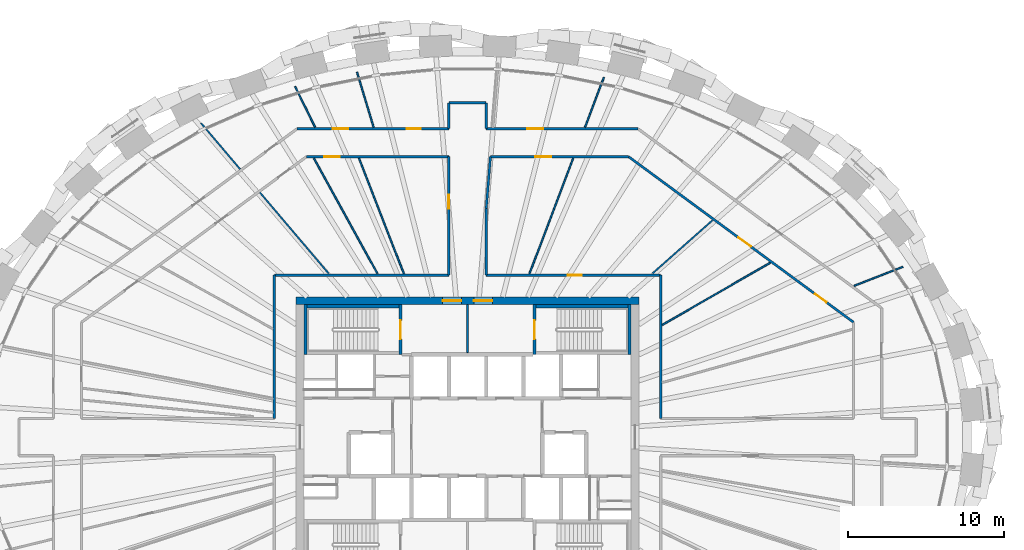
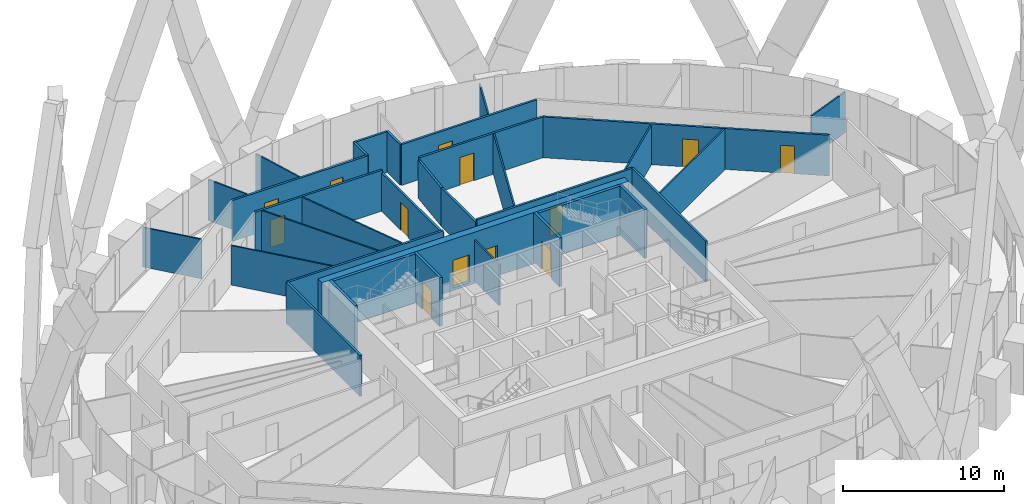
# One storey, part 12 of 15: 34 walls, 13 doors, 13 openings.
"""IFC4 building model written with IfcOpenShell, lengths in metres."""

from ifc_helpers import new_model, si_unit, direction, frame, frame_2d, origin, place, context, subcontext, project, spatial, rectangle, extrude, source, transform, mapped, material, layer, layer_set, type_object, element, fill, save


model = new_model("IFC4")

# Units and contexts
model_context = context("Model", 3, precision=1e-05, world=origin(), true_north=direction((0.0, 1.0)))
body_context = subcontext(model_context, "Body", "Model", "MODEL_VIEW")
ifc_project = project(units=[si_unit("LENGTHUNIT", "METRE"), si_unit("AREAUNIT", "SQUARE_METRE"), si_unit("VOLUMEUNIT", "CUBIC_METRE"), si_unit("PLANEANGLEUNIT", "RADIAN"), si_unit("MASSUNIT", "GRAM", prefix="KILO")], contexts=[model_context])

# Site, building, storey
site_placement = place(None, origin())
site = spatial("IfcSite", under=ifc_project, at=site_placement, CompositionType="ELEMENT")
building_placement = place(site_placement, origin())
building = spatial("IfcBuilding", under=site, at=building_placement, Name="Embergate Tower", CompositionType="ELEMENT")
storey_placement = place(building_placement, frame((0.0, 0.0, 277.300048828125)))
storey = spatial("IfcBuildingStorey", under=building, at=storey_placement, Name="L64", CompositionType="ELEMENT", Elevation=277.300048828125)

# Wall, openings, doors
ifc_material_1 = material(Name="Concrete C50", Category="concrete")
ifc_layer_1 = layer(ifc_material_1, 0.5)
ifc_layer_set_1 = layer_set([ifc_layer_1], Name="Concrete C50")
wall_type_1 = type_object("IfcWallType", Name="Core outer wall C50 500", PredefinedType="SHEAR", material=ifc_layer_set_1)
shared_shape_1 = source(origin(), body_context, "Body", "SweptSolid", [
    extrude(rectangle(XDim=22.0, YDim=0.5, at=frame_2d((11.0, 0.0))), origin(), (0.0, 0.0, 1.0), 3.89990234375),
])
wall_1_placement = place(storey_placement, frame((-11.0, 8.75, -0.199951171875), z_axis=(0.0, 0.0, 1.0), x_axis=(1.0, 0.0, 0.0)))
wall_1 = element("IfcWall", 1, at=wall_1_placement, inside=storey, type_object=wall_type_1, Name="CW-L64-N", PredefinedType="SHEAR", context=body_context, shape_type="MappedRepresentation", body=[
    mapped(shared_shape_1, transform((0.0, 0.0, 0.0))),
])
shared_shape_2 = source(origin(), body_context, "Body", "SweptSolid", [
    extrude(rectangle(XDim=1.199951171875, YDim=2.10009765625, at=frame_2d((0.60009765625, 1.050048828125))), frame((0.0, 0.260009765625, 0.0), z_axis=(0.0, -1.0, 0.0), x_axis=(1.0, 0.0, 0.0)), (0.0, 0.0, 1.0), 0.52001953125),
])
opening_1_placement = place(wall_1_placement, frame((9.39990234375, 0.0, 0.199951171875)))
opening_1 = element("IfcOpeningElement", 2, at=opening_1_placement, cuts=wall_1, Name="Opening IF-1", PredefinedType="OPENING", context=body_context, shape_type="MappedRepresentation", body=[
    mapped(shared_shape_2, transform((0.0, 0.0, 0.0))),
])
opening_2_placement = place(wall_1_placement, frame((11.39990234375, 0.0, 0.199951171875)))
opening_2 = element("IfcOpeningElement", 3, at=opening_2_placement, cuts=wall_1, Name="Opening IF-1", PredefinedType="OPENING", context=body_context, shape_type="MappedRepresentation", body=[
    mapped(shared_shape_2, transform((0.0, 0.0, 0.0))),
])
ifc_material_2 = material(Name="Escape fire door 1200")
door_type_1 = type_object("IfcDoorType", Name="Escape fire door 1200", OperationType="SINGLE_SWING_LEFT", PredefinedType="DOOR", material=ifc_material_2)
shared_shape_3 = source(origin(), body_context, "Body", "SweptSolid", [
    extrude(rectangle(XDim=1.199951171875, YDim=2.10009765625, at=frame_2d((0.60009765625, 1.050048828125))), frame((0.0, 0.02490234375, 0.0), z_axis=(0.0, -1.0, 0.0), x_axis=(1.0, 0.0, 0.0)), (0.0, 0.0, 1.0), 0.050048828125),
])
door_1_placement = place(opening_1_placement, origin())
door_1 = element("IfcDoor", 4, at=door_1_placement, inside=storey, type_object=door_type_1, Name="IF-1 door", OperationType="SINGLE_SWING_LEFT", OverallHeight=2.10009765625, OverallWidth=1.199951171875, PredefinedType="DOOR", context=body_context, shape_type="MappedRepresentation", body=[
    mapped(shared_shape_3, transform((0.0, 0.0, 0.0))),
])
fill(opening_1, door_1)
door_2_placement = place(opening_2_placement, origin())
door_2 = element("IfcDoor", 5, at=door_2_placement, inside=storey, type_object=door_type_1, Name="IF-1 door", OperationType="SINGLE_SWING_LEFT", OverallHeight=2.10009765625, OverallWidth=1.199951171875, PredefinedType="DOOR", context=body_context, shape_type="MappedRepresentation", body=[
    mapped(shared_shape_3, transform((0.0, 0.0, 0.0))),
])
fill(opening_2, door_2)

# Wall, opening, door
ifc_layer_2 = layer(ifc_material_1, 0.199951171875)
ifc_layer_set_2 = layer_set([ifc_layer_2], Name="Concrete C50")
wall_type_2 = type_object("IfcWallType", Name="Stair enclosure wall reinforced concrete 250", PredefinedType="SHEAR", material=ifc_layer_set_2)
shared_shape_4 = source(origin(), body_context, "Body", "SweptSolid", [
    extrude(rectangle(XDim=3.199951171875, YDim=0.199951171875, at=frame_2d((1.60009765625, 0.0))), origin(), (0.0, 0.0, 1.0), 3.699951171875),
])
wall_2_placement = place(storey_placement, frame((-4.300048828125, 5.300048828125, 0.0), z_axis=(0.0, 0.0, 1.0), x_axis=(0.0, 1.0, 0.0)))
wall_2 = element("IfcWall", 6, at=wall_2_placement, inside=storey, type_object=wall_type_2, Name="SE-1 wall", PredefinedType="SHEAR", context=body_context, shape_type="MappedRepresentation", body=[
    mapped(shared_shape_4, transform((0.0, 0.0, 0.0))),
])
shared_shape_5 = source(origin(), body_context, "Body", "SweptSolid", [
    extrude(rectangle(XDim=1.199951171875, YDim=2.10009765625, at=frame_2d((0.60009765625, 1.050048828125))), frame((0.0, 0.10986328125, 0.0), z_axis=(0.0, -1.0, 0.0), x_axis=(1.0, 0.0, 0.0)), (0.0, 0.0, 1.0), 0.219970703125),
])
opening_3_placement = place(wall_2_placement, frame((1.0, 0.0, 0.0)))
opening_3 = element("IfcOpeningElement", 7, at=opening_3_placement, cuts=wall_2, Name="Opening IF-2", PredefinedType="OPENING", context=body_context, shape_type="MappedRepresentation", body=[
    mapped(shared_shape_5, transform((0.0, 0.0, 0.0))),
])
ifc_material_3 = material(Name="Stair enclosure door 1200")
door_type_2 = type_object("IfcDoorType", Name="Stair enclosure door 1200", OperationType="SINGLE_SWING_LEFT", PredefinedType="DOOR", material=ifc_material_3)
door_3_placement = place(opening_3_placement, origin())
door_3 = element("IfcDoor", 8, at=door_3_placement, inside=storey, type_object=door_type_2, Name="IF-2 door", OperationType="SINGLE_SWING_LEFT", OverallHeight=2.10009765625, OverallWidth=1.199951171875, PredefinedType="DOOR", context=body_context, shape_type="MappedRepresentation", body=[
    mapped(shared_shape_3, transform((0.0, 0.0, 0.0))),
])
fill(opening_3, door_3)

wall_3_placement = place(storey_placement, frame((4.300048828125, 8.5, 0.0), z_axis=(0.0, 0.0, 1.0), x_axis=(0.0, -1.0, 0.0)))
wall_3 = element("IfcWall", 9, at=wall_3_placement, inside=storey, type_object=wall_type_2, Name="SE-1 wall", PredefinedType="SHEAR", context=body_context, shape_type="MappedRepresentation", body=[
    mapped(shared_shape_4, transform((0.0, 0.0, 0.0))),
])
opening_4_placement = place(wall_3_placement, frame((1.0, 0.0, 0.0)))
opening_4 = element("IfcOpeningElement", 10, at=opening_4_placement, cuts=wall_3, Name="Opening IF-2", PredefinedType="OPENING", context=body_context, shape_type="MappedRepresentation", body=[
    mapped(shared_shape_5, transform((0.0, 0.0, 0.0))),
])
door_4_placement = place(opening_4_placement, origin())
door_4 = element("IfcDoor", 11, at=door_4_placement, inside=storey, type_object=door_type_2, Name="IF-2 door", OperationType="SINGLE_SWING_LEFT", OverallHeight=2.10009765625, OverallWidth=1.199951171875, PredefinedType="DOOR", context=body_context, shape_type="MappedRepresentation", body=[
    mapped(shared_shape_3, transform((0.0, 0.0, 0.0))),
])
fill(opening_4, door_4)

# Walls
wall_4_placement = place(storey_placement, frame((-10.39990234375, 8.5, 0.0), z_axis=(0.0, 0.0, 1.0), x_axis=(0.0, -1.0, 0.0)))
element("IfcWall", 12, at=wall_4_placement, inside=storey, type_object=wall_type_2, Name="SE-1 wall", PredefinedType="SHEAR", context=body_context, shape_type="MappedRepresentation", body=[
    mapped(shared_shape_4, transform((0.0, 0.0, 0.0))),
])
ifc_material_4 = material(Name="Corridor wall dry-lined 150")
ifc_layer_3 = layer(ifc_material_4, 0.14990234375)
ifc_layer_set_3 = layer_set([ifc_layer_3], Name="Corridor wall dry-lined 150")
wall_type_3 = type_object("IfcWallType", Name="Corridor wall dry-lined 150", PredefinedType="PARTITIONING", material=ifc_layer_set_3)
shared_shape_6 = source(origin(), body_context, "Body", "SweptSolid", [
    extrude(rectangle(XDim=2.39990234375, YDim=0.14990234375, at=frame_2d((1.199951171875, 0.0))), origin(), (0.0, 0.0, 1.0), 3.099853515625),
])
wall_5_placement = place(storey_placement, frame((-1.199951171875, 21.458984375, 0.0), z_axis=(0.0, 0.0, 1.0), x_axis=(1.0, 0.0, 0.0)))
element("IfcWall", 13, at=wall_5_placement, inside=storey, type_object=wall_type_3, Name="IP-2 wall", PredefinedType="PARTITIONING", context=body_context, shape_type="MappedRepresentation", body=[
    mapped(shared_shape_6, transform((0.0, 0.0, 0.0))),
])
shared_shape_7 = source(origin(), body_context, "Body", "SweptSolid", [
    extrude(rectangle(XDim=9.199951171875, YDim=0.14990234375, at=frame_2d((4.60009765625, 0.0))), origin(), (0.0, 0.0, 1.0), 3.099853515625),
])
for number, where, z_axis, x_axis, name in (
    (14, (12.39990234375, 10.39990234375, 0.0), (0.0, 0.0, 1.0), (0.0, -1.0, 0.0), "IP-2 wall"),
    (15, (-12.39990234375, 10.39990234375, 0.0), (0.0, 0.0, 1.0), (0.0, -1.0, 0.0), "IP-2 wall"),
):
    element("IfcWall", number, at=place(storey_placement, frame(where, z_axis=z_axis, x_axis=x_axis)), inside=storey, type_object=wall_type_3, Name=name, PredefinedType="PARTITIONING", context=body_context, shape_type="MappedRepresentation", body=[
        mapped(shared_shape_7, transform((0.0, 0.0, 0.0))),
    ])

# Wall, opening, door
shared_shape_8 = source(origin(), body_context, "Body", "SweptSolid", [
    extrude(rectangle(XDim=11.199951171875, YDim=0.14990234375, at=frame_2d((5.60009765625, 0.0))), origin(), (0.0, 0.0, 1.0), 3.099853515625),
])
wall_6_placement = place(storey_placement, frame((1.199951171875, 10.39990234375, 0.0), z_axis=(0.0, 0.0, 1.0), x_axis=(1.0, 0.0, 0.0)))
wall_6 = element("IfcWall", 16, at=wall_6_placement, inside=storey, type_object=wall_type_3, Name="IP-2 wall", PredefinedType="PARTITIONING", context=body_context, shape_type="MappedRepresentation", body=[
    mapped(shared_shape_8, transform((0.0, 0.0, 0.0))),
])
shared_shape_9 = source(origin(), body_context, "Body", "SweptSolid", [
    extrude(rectangle(XDim=0.89990234375, YDim=2.10009765625, at=frame_2d((0.449951171875, 1.050048828125))), frame((0.0, 0.0849609375, 0.0), z_axis=(0.0, -1.0, 0.0), x_axis=(1.0, 0.0, 0.0)), (0.0, 0.0, 1.0), 0.169921875),
])
opening_5_placement = place(wall_6_placement, frame((5.248046875, 0.0, 0.0)))
opening_5 = element("IfcOpeningElement", 17, at=opening_5_placement, cuts=wall_6, Name="Opening IF-1c", PredefinedType="OPENING", context=body_context, shape_type="MappedRepresentation", body=[
    mapped(shared_shape_9, transform((0.0, 0.0, 0.0))),
])
ifc_material_5 = material(Name="Escape fire door 900")
door_type_3 = type_object("IfcDoorType", Name="Escape fire door 900", OperationType="SINGLE_SWING_LEFT", PredefinedType="DOOR", material=ifc_material_5)
shared_shape_10 = source(origin(), body_context, "Body", "SweptSolid", [
    extrude(rectangle(XDim=0.89990234375, YDim=2.10009765625, at=frame_2d((0.449951171875, 1.050048828125))), frame((0.0, 0.02490234375, 0.0), z_axis=(0.0, -1.0, 0.0), x_axis=(1.0, 0.0, 0.0)), (0.0, 0.0, 1.0), 0.050048828125),
])
door_5_placement = place(opening_5_placement, origin())
door_5 = element("IfcDoor", 18, at=door_5_placement, inside=storey, type_object=door_type_3, Name="IF-1 door", OperationType="SINGLE_SWING_RIGHT", OverallHeight=2.10009765625, OverallWidth=0.89990234375, PredefinedType="DOOR", context=body_context, shape_type="MappedRepresentation", body=[
    mapped(shared_shape_10, transform((0.0, 0.0, 0.0))),
])
fill(opening_5, door_5)

# Walls
wall_7_placement = place(storey_placement, frame((-12.39990234375, 10.39990234375, 0.0), z_axis=(0.0, 0.0, 1.0), x_axis=(1.0, 0.0, 0.0)))
element("IfcWall", 19, at=wall_7_placement, inside=storey, type_object=wall_type_3, Name="IP-2 wall", PredefinedType="PARTITIONING", context=body_context, shape_type="MappedRepresentation", body=[
    mapped(shared_shape_8, transform((0.0, 0.0, 0.0))),
])
ifc_material_6 = material(Name="Core partition blockwork 120")
ifc_layer_4 = layer(ifc_material_6, 0.1201171875)
ifc_layer_set_4 = layer_set([ifc_layer_4], Name="Core partition blockwork 120")
wall_type_4 = type_object("IfcWallType", Name="Core partition blockwork 120", PredefinedType="PARTITIONING", material=ifc_layer_set_4)
shared_shape_11 = source(origin(), body_context, "Body", "SweptSolid", [
    extrude(rectangle(XDim=3.074951171875, YDim=0.1201171875, at=frame_2d((1.53759765625, 0.0))), origin(), (0.0, 0.0, 1.0), 3.099853515625),
])
wall_8_placement = place(storey_placement, frame((0.0, 5.425048828125, 0.0), z_axis=(0.0, 0.0, 1.0), x_axis=(0.0, 1.0, 0.0)))
element("IfcWall", 20, at=wall_8_placement, inside=storey, type_object=wall_type_4, Name="IP-3 wall", PredefinedType="PARTITIONING", context=body_context, shape_type="MappedRepresentation", body=[
    mapped(shared_shape_11, transform((0.0, 0.0, 0.0))),
])
shared_shape_12 = source(origin(), body_context, "Body", "SweptSolid", [
    extrude(rectangle(XDim=6.298095703125, YDim=0.199951171875, at=frame_2d((3.14892578125, 0.0))), origin(), (0.0, 0.0, 1.0), 3.699951171875),
])
for number, where, z_axis, x_axis, name in (
    (21, (-4.201904296875, 8.39990234375, 0.0), (0.0, 0.0, 1.0), (-1.0, 0.0, 0.0), "SE-1 wall"),
    (22, (10.5, 8.39990234375, 0.0), (0.0, 0.0, 1.0), (-1.0, 0.0, 0.0), "SE-1 wall"),
):
    element("IfcWall", number, at=place(storey_placement, frame(where, z_axis=z_axis, x_axis=x_axis)), inside=storey, type_object=wall_type_2, Name=name, PredefinedType="SHEAR", context=body_context, shape_type="MappedRepresentation", body=[
        mapped(shared_shape_12, transform((0.0, 0.0, 0.0))),
    ])
shared_shape_13 = source(origin(), body_context, "Body", "SweptSolid", [
    extrude(rectangle(XDim=3.197998046875, YDim=0.199951171875, at=frame_2d((1.59912109375, 0.0))), origin(), (0.0, 0.0, 1.0), 3.699951171875),
])
wall_9_placement = place(storey_placement, frame((10.39990234375, 5.302001953125, 0.0), z_axis=(0.0, 0.0, 1.0), x_axis=(0.0, 1.0, 0.0)))
element("IfcWall", 23, at=wall_9_placement, inside=storey, type_object=wall_type_2, Name="SE-1 wall", PredefinedType="SHEAR", context=body_context, shape_type="MappedRepresentation", body=[
    mapped(shared_shape_13, transform((0.0, 0.0, 0.0))),
])

# Wall, opening, door
shared_shape_14 = source(origin(), body_context, "Body", "SweptSolid", [
    extrude(rectangle(XDim=7.60205078125, YDim=0.14990234375, at=frame_2d((3.801025390625, 0.0))), origin(), (0.0, 0.0, 1.0), 2.89990234375),
])
wall_10_placement = place(storey_placement, frame((-1.199951171875, 10.39990234375, 0.0), z_axis=(0.0, 0.0, 1.0), x_axis=(0.0, 1.0, 0.0)))
wall_10 = element("IfcWall", 24, at=wall_10_placement, inside=storey, type_object=wall_type_3, Name="IP-2 wall", PredefinedType="PARTITIONING", context=body_context, shape_type="MappedRepresentation", body=[
    mapped(shared_shape_14, transform((0.0, 0.0, 0.0))),
])
opening_6_placement = place(wall_10_placement, frame((4.26611328125, 0.0, 0.0)))
opening_6 = element("IfcOpeningElement", 25, at=opening_6_placement, cuts=wall_10, Name="Opening IF-1c", PredefinedType="OPENING", context=body_context, shape_type="MappedRepresentation", body=[
    mapped(shared_shape_9, transform((0.0, 0.0, 0.0))),
])
door_6_placement = place(opening_6_placement, origin())
door_6 = element("IfcDoor", 26, at=door_6_placement, inside=storey, type_object=door_type_3, Name="IF-1 door", OperationType="SINGLE_SWING_RIGHT", OverallHeight=2.10009765625, OverallWidth=0.89990234375, PredefinedType="DOOR", context=body_context, shape_type="MappedRepresentation", body=[
    mapped(shared_shape_10, transform((0.0, 0.0, 0.0))),
])
fill(opening_6, door_6)

# Walls
shared_shape_15 = source(origin(), body_context, "Body", "SweptSolid", [
    extrude(rectangle(XDim=4.2900390625, YDim=0.14990234375, at=frame_2d((2.14501953125, 0.0))), origin(), (0.0, 0.0, 1.0), 2.89990234375),
])
wall_11_placement = place(storey_placement, frame((1.199951171875, 10.39990234375, 0.0), z_axis=(0.0, 0.0, 1.0), x_axis=(0.0, 1.0, 0.0)))
element("IfcWall", 27, at=wall_11_placement, inside=storey, type_object=wall_type_3, Name="IP-2 wall", PredefinedType="PARTITIONING", context=body_context, shape_type="MappedRepresentation", body=[
    mapped(shared_shape_15, transform((0.0, 0.0, 0.0))),
])
shared_shape_16 = source(origin(), body_context, "Body", "SweptSolid", [
    extrude(rectangle(XDim=3.322998046875, YDim=0.14990234375, at=frame_2d((1.66162109375, 0.0))), origin(), (0.0, 0.0, 1.0), 2.89990234375),
])
wall_12_placement = place(storey_placement, frame((1.199951171875, 14.68994140625, 0.0), z_axis=(0.0, 0.0, 1.0), x_axis=(0.081257746754, 0.996693121574, 0.0)))
element("IfcWall", 28, at=wall_12_placement, inside=storey, type_object=wall_type_3, Name="IP-2 wall", PredefinedType="PARTITIONING", context=body_context, shape_type="MappedRepresentation", body=[
    mapped(shared_shape_16, transform((0.0, 0.0, 0.0))),
])
ifc_material_7 = material(Name="Partition dry-lined 100")
ifc_layer_5 = layer(ifc_material_7, 0.10009765625)
ifc_layer_set_5 = layer_set([ifc_layer_5], Name="Partition dry-lined 100")
wall_type_5 = type_object("IfcWallType", Name="Partition dry-lined 100", PredefinedType="PARTITIONING", material=ifc_layer_set_5)
shared_shape_17 = source(origin(), body_context, "Body", "SweptSolid", [
    extrude(rectangle(XDim=5.15234375, YDim=0.10009765625, at=frame_2d((2.576171875, 0.0))), origin(), (0.0, 0.0, 1.0), 3.0),
])
wall_13_placement = place(storey_placement, frame((15.73388671875, 13.927001953125, 0.0), z_axis=(0.0, 0.0, 1.0), x_axis=(-0.748777646215, -0.662821270425, 0.0)))
element("IfcWall", 29, at=wall_13_placement, inside=storey, type_object=wall_type_5, Name="IP-1 wall", PredefinedType="PARTITIONING", context=body_context, shape_type="MappedRepresentation", body=[
    mapped(shared_shape_17, transform((0.0, 0.0, 0.0))),
])

# Wall, opening, door
shared_shape_18 = source(origin(), body_context, "Body", "SweptSolid", [
    extrude(rectangle(XDim=9.733154296875, YDim=0.14990234375, at=frame_2d((4.86669921875, 0.0))), origin(), (0.0, 0.0, 1.0), 3.099853515625),
])
wall_14_placement = place(storey_placement, frame((1.199951171875, 19.802001953125, 0.0), z_axis=(0.0, 0.0, 1.0), x_axis=(1.0, 0.0, 0.0)))
wall_14 = element("IfcWall", 30, at=wall_14_placement, inside=storey, type_object=wall_type_3, Name="IP-2 wall", PredefinedType="PARTITIONING", context=body_context, shape_type="MappedRepresentation", body=[
    mapped(shared_shape_18, transform((0.0, 0.0, 0.0))),
])
shared_shape_19 = source(origin(), body_context, "Body", "SweptSolid", [
    extrude(rectangle(XDim=1.0, YDim=2.10009765625, at=frame_2d((0.5, 1.050048828125))), frame((0.0, 0.0849609375, 0.0), z_axis=(0.0, -1.0, 0.0), x_axis=(1.0, 0.0, 0.0)), (0.0, 0.0, 1.0), 0.169921875),
])
opening_7_placement = place(wall_14_placement, frame((2.64599609375, 0.0, 0.0)))
opening_7 = element("IfcOpeningElement", 31, at=opening_7_placement, cuts=wall_14, Name="Opening ID-2", PredefinedType="OPENING", context=body_context, shape_type="MappedRepresentation", body=[
    mapped(shared_shape_19, transform((0.0, 0.0, 0.0))),
])
ifc_material_8 = material(Name="Interior door 1000")
door_type_4 = type_object("IfcDoorType", Name="Interior door 1000", OperationType="SINGLE_SWING_LEFT", PredefinedType="DOOR", material=ifc_material_8)
shared_shape_20 = source(origin(), body_context, "Body", "SweptSolid", [
    extrude(rectangle(XDim=1.0, YDim=2.10009765625, at=frame_2d((0.5, 1.050048828125))), frame((0.0, 0.02490234375, 0.0), z_axis=(0.0, -1.0, 0.0), x_axis=(1.0, 0.0, 0.0)), (0.0, 0.0, 1.0), 0.050048828125),
])
door_7_placement = place(opening_7_placement, origin())
door_7 = element("IfcDoor", 32, at=door_7_placement, inside=storey, type_object=door_type_4, Name="ID-2 door", OperationType="SINGLE_SWING_RIGHT", OverallHeight=2.10009765625, OverallWidth=1.0, PredefinedType="DOOR", context=body_context, shape_type="MappedRepresentation", body=[
    mapped(shared_shape_20, transform((0.0, 0.0, 0.0))),
])
fill(opening_7, door_7)

# Wall, openings, doors
wall_15_placement = place(storey_placement, frame((-10.93310546875, 19.802001953125, 0.0), z_axis=(0.0, 0.0, 1.0), x_axis=(1.0, 0.0, 0.0)))
wall_15 = element("IfcWall", 33, at=wall_15_placement, inside=storey, type_object=wall_type_3, Name="IP-2 wall", PredefinedType="PARTITIONING", context=body_context, shape_type="MappedRepresentation", body=[
    mapped(shared_shape_18, transform((0.0, 0.0, 0.0))),
])
opening_8_placement = place(wall_15_placement, frame((7.01611328125, 0.0, 0.0)))
opening_8 = element("IfcOpeningElement", 34, at=opening_8_placement, cuts=wall_15, Name="Opening IF-1c", PredefinedType="OPENING", context=body_context, shape_type="MappedRepresentation", body=[
    mapped(shared_shape_9, transform((0.0, 0.0, 0.0))),
])
opening_9_placement = place(wall_15_placement, frame((2.285888671875, 0.0, 0.0)))
opening_9 = element("IfcOpeningElement", 35, at=opening_9_placement, cuts=wall_15, Name="Opening ID-2", PredefinedType="OPENING", context=body_context, shape_type="MappedRepresentation", body=[
    mapped(shared_shape_19, transform((0.0, 0.0, 0.0))),
])
door_8_placement = place(opening_8_placement, origin())
door_8 = element("IfcDoor", 36, at=door_8_placement, inside=storey, type_object=door_type_3, Name="IF-1 door", OperationType="SINGLE_SWING_LEFT", OverallHeight=2.10009765625, OverallWidth=0.89990234375, PredefinedType="DOOR", context=body_context, shape_type="MappedRepresentation", body=[
    mapped(shared_shape_10, transform((0.0, 0.0, 0.0))),
])
fill(opening_8, door_8)
door_9_placement = place(opening_9_placement, origin())
door_9 = element("IfcDoor", 37, at=door_9_placement, inside=storey, type_object=door_type_4, Name="ID-2 door", OperationType="SINGLE_SWING_LEFT", OverallHeight=2.10009765625, OverallWidth=1.0, PredefinedType="DOOR", context=body_context, shape_type="MappedRepresentation", body=[
    mapped(shared_shape_20, transform((0.0, 0.0, 0.0))),
])
fill(opening_9, door_9)

shared_shape_21 = source(origin(), body_context, "Body", "SweptSolid", [
    extrude(rectangle(XDim=17.9287109375, YDim=0.14990234375, at=frame_2d((8.96435546875, 0.0))), origin(), (0.0, 0.0, 1.0), 3.099853515625),
])
wall_16_placement = place(storey_placement, frame((24.781005859375, 7.3740234375, 0.0), z_axis=(0.0, 0.0, 1.0), x_axis=(-0.805356928681, 0.592790196803, 0.0)))
wall_16 = element("IfcWall", 38, at=wall_16_placement, inside=storey, type_object=wall_type_3, Name="IP-2 wall", PredefinedType="PARTITIONING", context=body_context, shape_type="MappedRepresentation", body=[
    mapped(shared_shape_21, transform((0.0, 0.0, 0.0))),
])
opening_10_placement = place(wall_16_placement, frame((2.16259765625, 0.0, 0.0)))
opening_10 = element("IfcOpeningElement", 39, at=opening_10_placement, cuts=wall_16, Name="Opening IF-1c", PredefinedType="OPENING", context=body_context, shape_type="MappedRepresentation", body=[
    mapped(shared_shape_9, transform((0.0, 0.0, 0.0))),
])
opening_11_placement = place(wall_16_placement, frame((8.192138671875, 0.0, 0.0)))
opening_11 = element("IfcOpeningElement", 40, at=opening_11_placement, cuts=wall_16, Name="Opening ID-2", PredefinedType="OPENING", context=body_context, shape_type="MappedRepresentation", body=[
    mapped(shared_shape_19, transform((0.0, 0.0, 0.0))),
])
door_10_placement = place(opening_10_placement, origin())
door_10 = element("IfcDoor", 41, at=door_10_placement, inside=storey, type_object=door_type_3, Name="IF-1 door", OperationType="SINGLE_SWING_RIGHT", OverallHeight=2.10009765625, OverallWidth=0.89990234375, PredefinedType="DOOR", context=body_context, shape_type="MappedRepresentation", body=[
    mapped(shared_shape_10, transform((0.0, 0.0, 0.0))),
])
fill(opening_10, door_10)
door_11_placement = place(opening_11_placement, origin())
door_11 = element("IfcDoor", 42, at=door_11_placement, inside=storey, type_object=door_type_4, Name="ID-2 door", OperationType="SINGLE_SWING_RIGHT", OverallHeight=2.10009765625, OverallWidth=1.0, PredefinedType="DOOR", context=body_context, shape_type="MappedRepresentation", body=[
    mapped(shared_shape_20, transform((0.0, 0.0, 0.0))),
])
fill(opening_11, door_11)

# Wall, opening, door
shared_shape_22 = source(origin(), body_context, "Body", "SweptSolid", [
    extrude(rectangle(XDim=9.14208984375, YDim=0.14990234375, at=frame_2d((4.571044921875, 0.0))), origin(), (0.0, 0.0, 1.0), 3.099853515625),
])
wall_17_placement = place(storey_placement, frame((-1.199951171875, 18.001953125, 0.0), z_axis=(0.0, 0.0, 1.0), x_axis=(-1.0, 0.0, 0.0)))
wall_17 = element("IfcWall", 43, at=wall_17_placement, inside=storey, type_object=wall_type_3, Name="IP-2 wall", PredefinedType="PARTITIONING", context=body_context, shape_type="MappedRepresentation", body=[
    mapped(shared_shape_22, transform((0.0, 0.0, 0.0))),
])
opening_12_placement = place(wall_17_placement, frame((7.012939453125, 0.0, 0.0)))
opening_12 = element("IfcOpeningElement", 44, at=opening_12_placement, cuts=wall_17, Name="Opening ID-2", PredefinedType="OPENING", context=body_context, shape_type="MappedRepresentation", body=[
    mapped(shared_shape_19, transform((0.0, 0.0, 0.0))),
])
door_12_placement = place(opening_12_placement, origin())
door_12 = element("IfcDoor", 45, at=door_12_placement, inside=storey, type_object=door_type_4, Name="ID-2 door", OperationType="SINGLE_SWING_RIGHT", OverallHeight=2.10009765625, OverallWidth=1.0, PredefinedType="DOOR", context=body_context, shape_type="MappedRepresentation", body=[
    mapped(shared_shape_20, transform((0.0, 0.0, 0.0))),
])
fill(opening_12, door_12)

# Walls
shared_shape_23 = source(origin(), body_context, "Body", "SweptSolid", [
    extrude(rectangle(XDim=1.656982421875, YDim=0.14990234375, at=frame_2d((0.82861328125, 0.0))), origin(), (0.0, 0.0, 1.0), 3.099853515625),
])
for number, where, z_axis, x_axis, name in (
    (46, (-1.199951171875, 19.802001953125, 0.0), (0.0, 0.0, 1.0), (0.0, 1.0, 0.0), "IP-2 wall"),
    (47, (1.199951171875, 21.458984375, 0.0), (0.0, 0.0, 1.0), (0.0, -1.0, 0.0), "IP-2 wall"),
):
    element("IfcWall", number, at=place(storey_placement, frame(where, z_axis=z_axis, x_axis=x_axis)), inside=storey, type_object=wall_type_3, Name=name, PredefinedType="PARTITIONING", context=body_context, shape_type="MappedRepresentation", body=[
        mapped(shared_shape_23, transform((0.0, 0.0, 0.0))),
    ])

# Wall, opening, door
shared_shape_24 = source(origin(), body_context, "Body", "SweptSolid", [
    extrude(rectangle(XDim=8.8720703125, YDim=0.14990234375, at=frame_2d((4.43603515625, 0.0))), origin(), (0.0, 0.0, 1.0), 3.099853515625),
])
wall_18_placement = place(storey_placement, frame((1.469970703125, 18.001953125, 0.0), z_axis=(0.0, 0.0, 1.0), x_axis=(1.0, 0.0, 0.0)))
wall_18 = element("IfcWall", 48, at=wall_18_placement, inside=storey, type_object=wall_type_3, Name="IP-2 wall", PredefinedType="PARTITIONING", context=body_context, shape_type="MappedRepresentation", body=[
    mapped(shared_shape_24, transform((0.0, 0.0, 0.0))),
])
opening_13_placement = place(wall_18_placement, frame((2.8916015625, 0.0, 0.0)))
opening_13 = element("IfcOpeningElement", 49, at=opening_13_placement, cuts=wall_18, Name="Opening ID-2", PredefinedType="OPENING", context=body_context, shape_type="MappedRepresentation", body=[
    mapped(shared_shape_19, transform((0.0, 0.0, 0.0))),
])
door_13_placement = place(opening_13_placement, origin())
door_13 = element("IfcDoor", 50, at=door_13_placement, inside=storey, type_object=door_type_4, Name="ID-2 door", OperationType="SINGLE_SWING_LEFT", OverallHeight=2.10009765625, OverallWidth=1.0, PredefinedType="DOOR", context=body_context, shape_type="MappedRepresentation", body=[
    mapped(shared_shape_20, transform((0.0, 0.0, 0.0))),
])
fill(opening_13, door_13)

# Walls
shared_shape_25 = source(origin(), body_context, "Body", "SweptSolid", [
    extrude(rectangle(XDim=3.367431640625, YDim=0.10009765625, at=frame_2d((1.68359375, 0.0))), origin(), (0.0, 0.0, 1.0), 3.099853515625),
])
wall_19_placement = place(storey_placement, frame((24.81591796875, 9.7099609375, 0.0), z_axis=(0.0, 0.0, 1.0), x_axis=(0.931250267116, 0.364380213509, 0.0)))
element("IfcWall", 51, at=wall_19_placement, inside=storey, type_object=wall_type_5, Name="IP-1 wall", PredefinedType="PARTITIONING", context=body_context, shape_type="MappedRepresentation", body=[
    mapped(shared_shape_25, transform((0.0, 0.0, 0.0))),
])
shared_shape_26 = source(origin(), body_context, "Body", "SweptSolid", [
    extrude(rectangle(XDim=7.996826171875, YDim=0.10009765625, at=frame_2d((3.99853515625, 0.0))), origin(), (0.0, 0.0, 1.0), 3.099853515625),
])
wall_20_placement = place(storey_placement, frame((12.5, 7.202880859375, 0.0), z_axis=(0.0, 0.0, 1.0), x_axis=(0.866471599143, 0.499226369374, 0.0)))
element("IfcWall", 52, at=wall_20_placement, inside=storey, type_object=wall_type_5, Name="IP-1 wall", PredefinedType="PARTITIONING", context=body_context, shape_type="MappedRepresentation", body=[
    mapped(shared_shape_26, transform((0.0, 0.0, 0.0))),
])
shared_shape_27 = source(origin(), body_context, "Body", "SweptSolid", [
    extrude(rectangle(XDim=3.429443359375, YDim=0.10009765625, at=frame_2d((1.71484375, 0.0))), origin(), (0.0, 0.0, 1.0), 3.099853515625),
])
wall_21_placement = place(storey_placement, frame((7.5390625, 19.89404296875, 0.0), z_axis=(0.0, 0.0, 1.0), x_axis=(0.354242155274, 0.935153728232, 0.0)))
element("IfcWall", 53, at=wall_21_placement, inside=storey, type_object=wall_type_5, Name="IP-1 wall", PredefinedType="PARTITIONING", context=body_context, shape_type="MappedRepresentation", body=[
    mapped(shared_shape_27, transform((0.0, 0.0, 0.0))),
])
shared_shape_28 = source(origin(), body_context, "Body", "SweptSolid", [
    extrude(rectangle(XDim=7.930908203125, YDim=0.10009765625, at=frame_2d((3.96533203125, 0.0))), origin(), (0.0, 0.0, 1.0), 3.099853515625),
])
wall_22_placement = place(storey_placement, frame((3.97607421875, 10.492919921875, 0.0), z_axis=(0.0, 0.0, 1.0), x_axis=(0.354440788606, 0.935078460543, 0.0)))
element("IfcWall", 54, at=wall_22_placement, inside=storey, type_object=wall_type_5, Name="IP-1 wall", PredefinedType="PARTITIONING", context=body_context, shape_type="MappedRepresentation", body=[
    mapped(shared_shape_28, transform((0.0, 0.0, 0.0))),
])
shared_shape_29 = source(origin(), body_context, "Body", "SweptSolid", [
    extrude(rectangle(XDim=3.70068359375, YDim=0.10009765625, at=frame_2d((1.850341796875, 0.0))), origin(), (0.0, 0.0, 1.0), 3.099853515625),
])
wall_23_placement = place(storey_placement, frame((-6.02587890625, 19.89111328125, 0.0), z_axis=(0.0, 0.0, 1.0), x_axis=(-0.289683288858, 0.957122558587, 0.0)))
element("IfcWall", 55, at=wall_23_placement, inside=storey, type_object=wall_type_5, Name="IP-1 wall", PredefinedType="PARTITIONING", context=body_context, shape_type="MappedRepresentation", body=[
    mapped(shared_shape_29, transform((0.0, 0.0, 0.0))),
])
shared_shape_30 = source(origin(), body_context, "Body", "SweptSolid", [
    extrude(rectangle(XDim=2.91015625, YDim=0.10009765625, at=frame_2d((1.455078125, 0.0))), origin(), (0.0, 0.0, 1.0), 3.099853515625),
])
wall_24_placement = place(storey_placement, frame((-9.785888671875, 19.89892578125, 0.0), z_axis=(0.0, 0.0, 1.0), x_axis=(-0.441600915611, 0.897211586713, 0.0)))
element("IfcWall", 56, at=wall_24_placement, inside=storey, type_object=wall_type_5, Name="IP-1 wall", PredefinedType="PARTITIONING", context=body_context, shape_type="MappedRepresentation", body=[
    mapped(shared_shape_30, transform((0.0, 0.0, 0.0))),
])
shared_shape_31 = source(origin(), body_context, "Body", "SweptSolid", [
    extrude(rectangle(XDim=3.89013671875, YDim=0.10009765625, at=frame_2d((1.945068359375, 0.0))), origin(), (0.0, 0.0, 1.0), 3.0),
])
wall_25_placement = place(storey_placement, frame((-14.595947265625, 17.197998046875, 0.0), z_axis=(0.0, 0.0, 1.0), x_axis=(-0.647041578334, 0.762454717283, 0.0)))
element("IfcWall", 57, at=wall_25_placement, inside=storey, type_object=wall_type_5, Name="IP-1 wall", PredefinedType="PARTITIONING", context=body_context, shape_type="MappedRepresentation", body=[
    mapped(shared_shape_31, transform((0.0, 0.0, 0.0))),
])
shared_shape_32 = source(origin(), body_context, "Body", "SweptSolid", [
    extrude(rectangle(XDim=7.958251953125, YDim=0.10009765625, at=frame_2d((3.97900390625, 0.0))), origin(), (0.0, 0.0, 1.0), 3.099853515625),
])
wall_26_placement = place(storey_placement, frame((-4.0869140625, 10.492919921875, 0.0), z_axis=(0.0, 0.0, 1.0), x_axis=(-0.36279561713, 0.931868735494, 0.0)))
element("IfcWall", 58, at=wall_26_placement, inside=storey, type_object=wall_type_5, Name="IP-1 wall", PredefinedType="PARTITIONING", context=body_context, shape_type="MappedRepresentation", body=[
    mapped(shared_shape_32, transform((0.0, 0.0, 0.0))),
])
shared_shape_33 = source(origin(), body_context, "Body", "SweptSolid", [
    extrude(rectangle(XDim=8.452392578125, YDim=0.10009765625, at=frame_2d((4.22607421875, 0.0))), origin(), (0.0, 0.0, 1.0), 3.099853515625),
])
wall_27_placement = place(storey_placement, frame((-5.784912109375, 10.4990234375, 0.0), z_axis=(0.0, 0.0, 1.0), x_axis=(-0.482591640502, 0.875845482101, 0.0)))
element("IfcWall", 59, at=wall_27_placement, inside=storey, type_object=wall_type_5, Name="IP-1 wall", PredefinedType="PARTITIONING", context=body_context, shape_type="MappedRepresentation", body=[
    mapped(shared_shape_33, transform((0.0, 0.0, 0.0))),
])
shared_shape_34 = source(origin(), body_context, "Body", "SweptSolid", [
    extrude(rectangle(XDim=6.821533203125, YDim=0.10009765625, at=frame_2d((3.41064453125, 0.0))), origin(), (0.0, 0.0, 1.0), 3.0),
])
wall_28_placement = place(storey_placement, frame((-8.91796875, 10.507080078125, 0.0), z_axis=(0.0, 0.0, 1.0), x_axis=(-0.64707581164, 0.762425664567, 0.0)))
element("IfcWall", 60, at=wall_28_placement, inside=storey, type_object=wall_type_5, Name="IP-1 wall", PredefinedType="PARTITIONING", context=body_context, shape_type="MappedRepresentation", body=[
    mapped(shared_shape_34, transform((0.0, 0.0, 0.0))),
])

save(model, "model.ifc")
